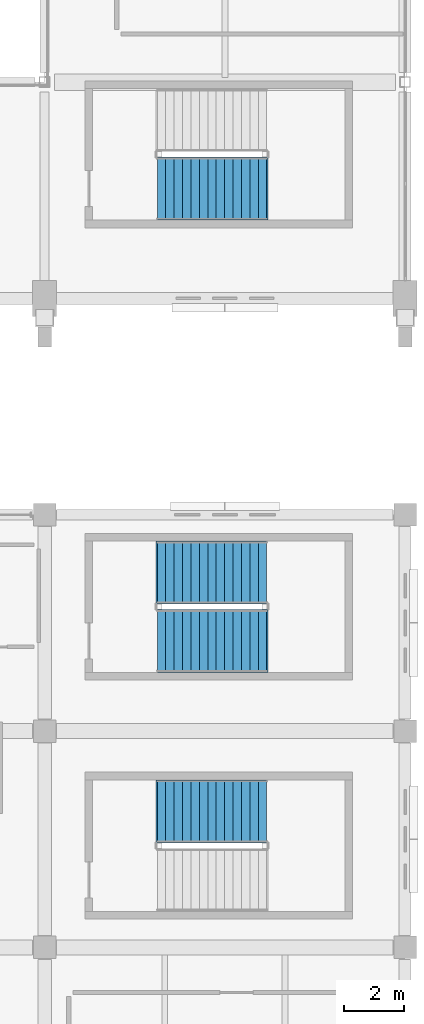
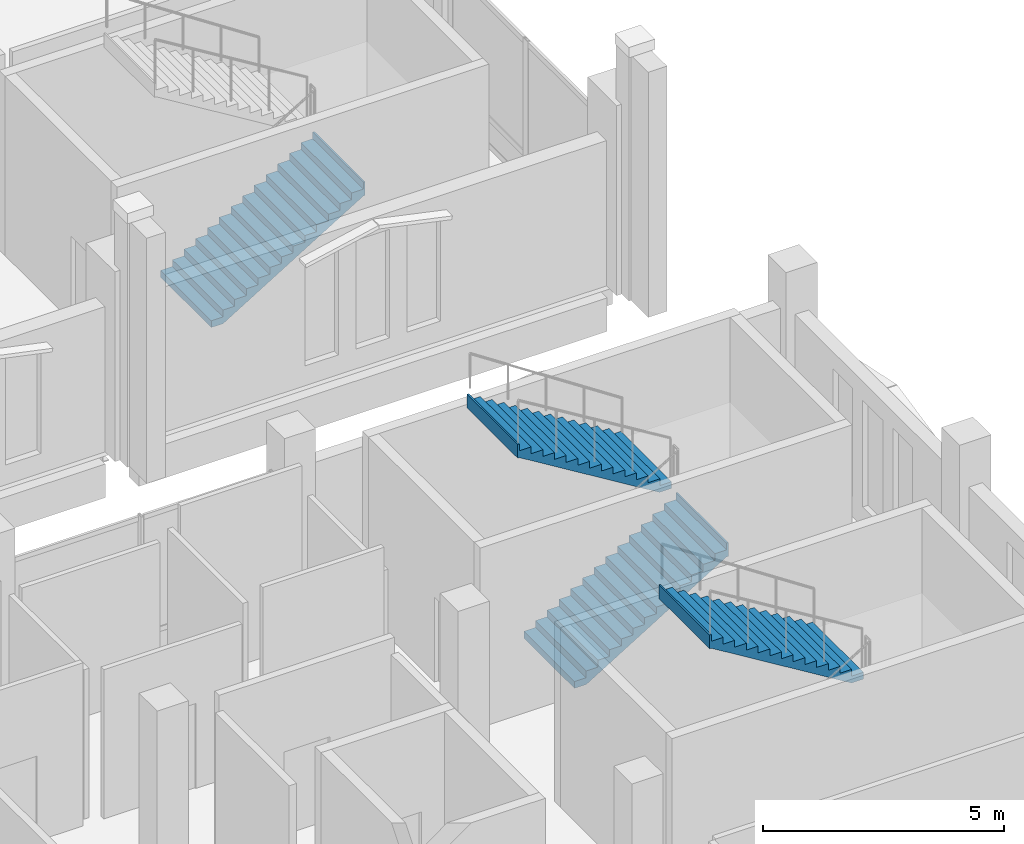
# One storey, part 168 of 193: 4 stair flights, 3 elements without a shape of their own.
"""IFC4 building model written with IfcOpenShell, lengths in metres."""

from ifc_helpers import new_model, si_unit, direction, frame, origin, place, context, subcontext, project, spatial, triangles, material, type_object, element, aggregate, save


model = new_model("IFC4")

# Units and contexts
model_context = context("Model", 3, precision=1e-05, world=origin(), true_north=direction((0.0, 1.0)))
body_context = subcontext(model_context, "Body", "Model", "MODEL_VIEW")
ifc_project = project(units=[si_unit("LENGTHUNIT", "METRE"), si_unit("AREAUNIT", "SQUARE_METRE"), si_unit("VOLUMEUNIT", "CUBIC_METRE"), si_unit("PLANEANGLEUNIT", "RADIAN"), si_unit("MASSUNIT", "GRAM", prefix="KILO")], contexts=[model_context])

# Site, building, storey
site_placement = place(None, origin())
site = spatial("IfcSite", under=ifc_project, at=site_placement, CompositionType="ELEMENT")
building_placement = place(site_placement, origin())
building = spatial("IfcBuilding", under=site, at=building_placement, Name="Cendralis Lancet Convention Centre", CompositionType="ELEMENT")
storey_placement = place(building_placement, frame((0.0, 0.0, 10.199951171875)))
storey = spatial("IfcBuildingStorey", under=building, at=storey_placement, Name="L02", CompositionType="ELEMENT", Elevation=10.199951171875)

# Stair, stair flight
ifc_material = material(Name="Concrete G35 (C35/45)", Category="concrete")
stair_type = type_object("IfcStairType", Name="ARC-ST-CORE", PredefinedType="HALF_TURN_STAIR", material=ifc_material)
stair_1_placement = place(storey_placement, origin())
stair_1 = element("IfcStair", 1, at=stair_1_placement, inside=storey, type_object=stair_type, Name="L02 Protected Exit Stair ST-09", PredefinedType="HALF_TURN_STAIR")
stair_flight_type = type_object("IfcStairFlightType", Name="ARC-SF-CORE", PredefinedType="STRAIGHT", material=ifc_material)
stair_flight_1_placement = place(storey_placement, frame((200.550048828125, 46.85009765625, 0.0), z_axis=(0.0, 0.0, 1.0), x_axis=(1.0, 0.0, 0.0)))
stair_flight_1 = element("IfcStairFlight", 2, at=stair_flight_1_placement, type_object=stair_flight_type, Name="ST-09 flight 1", NumberOfRisers=14, NumberOfTreads=13, PredefinedType="STRAIGHT", RiserHeight=0.171428571, TreadLength=0.28, context=body_context, shape_type="Tessellation", body=[
    triangles([(0.0, 0.0, 0.085714), (0.0, 1.050049, 0.0), (0.0, -1.050049, 0.0), (0.0, -1.050049, 0.171429), (0.0, 1.050049, 0.171429), (0.14, 0.0, 0.171429), (0.28, -1.050049, 0.171429), (0.28, 1.050049, 0.171429), (0.14, 0.0, 0.0), (0.28, -1.050049, 0.0), (0.28, 1.050049, 0.0), (0.28, 0.0, 0.257143), (0.28, -1.050049, 0.342857), (0.28, 1.050049, 0.342857), (0.283543, 0.0, 0.342857), (0.287085, -1.050049, 0.342857), (0.287085, 1.050049, 0.342857), (0.283543, 0.0, 0.0), (0.287085, -1.050049, 0.0), (0.287085, 1.050049, 0.0), (0.423543, 0.0, 0.342857), (0.56, -1.050049, 0.342857), (0.56, 1.050049, 0.342857), (0.423543, 0.0, 0.083545), (0.56, -1.050049, 0.167091), (0.56, 1.050049, 0.167091), (0.56, 0.0, 0.428572), (0.56, -1.050049, 0.514286), (0.56, 1.050049, 0.514286), (0.7, 0.0, 0.514286), (0.84, -1.050049, 0.514286), (0.84, 1.050049, 0.514286), (0.7, 0.0, 0.252806), (0.84, -1.050049, 0.33852), (0.84, 1.050049, 0.33852), (0.84, 0.0, 0.6), (0.84, -1.050049, 0.685714), (0.84, 1.050049, 0.685714), (0.98, 0.0, 0.685714), (1.12, -1.050049, 0.685714), (1.12, 1.050049, 0.685714), (0.98, 0.0, 0.424234), (1.12, -1.050049, 0.509948), (1.12, 1.050049, 0.509948), (1.12, 0.0, 0.771429), (1.12, -1.050049, 0.857143), (1.12, 1.050049, 0.857143), (1.26, 0.0, 0.857143), (1.4, -1.050049, 0.857143), (1.4, 1.050049, 0.857143), (1.26, 0.0, 0.595662), (1.4, -1.050049, 0.681377), (1.4, 1.050049, 0.681377), (1.4, 0.0, 0.942857), (1.4, -1.050049, 1.028571), (1.4, 1.050049, 1.028571), (1.54, 0.0, 1.028571), (1.68, -1.050049, 1.028571), (1.68, 1.050049, 1.028571), (1.54, 0.0, 0.767091), (1.68, -1.050049, 0.852805), (1.68, 1.050049, 0.852805), (1.68, 0.0, 1.114286), (1.68, -1.050049, 1.2), (1.68, 1.050049, 1.2), (1.82, 0.0, 1.2), (1.96, -1.050049, 1.2), (1.96, 1.050049, 1.2), (1.82, 0.0, 0.938519), (1.96, -1.050049, 1.024234), (1.96, 1.050049, 1.024234), (1.96, 0.0, 1.285715), (1.96, -1.050049, 1.371429), (1.96, 1.050049, 1.371429), (2.1, 0.0, 1.371429), (2.24, -1.050049, 1.371429), (2.24, 1.050049, 1.371429), (2.1, 0.0, 1.109948), (2.24, -1.050049, 1.195662), (2.24, 1.050049, 1.195662), (2.24, 0.0, 1.457143), (2.24, -1.050049, 1.542857), (2.24, 1.050049, 1.542857), (2.38, 0.0, 1.542857), (2.52, -1.050049, 1.542857), (2.52, 1.050049, 1.542857), (2.38, 0.0, 1.281376), (2.52, -1.050049, 1.367091), (2.52, 1.050049, 1.367091), (2.52, 0.0, 1.628572), (2.52, -1.050049, 1.714286), (2.52, 1.050049, 1.714286), (2.66, 0.0, 1.714286), (2.8, -1.050049, 1.714286), (2.8, 1.050049, 1.714286), (2.66, 0.0, 1.452806), (2.8, -1.050049, 1.53852), (2.8, 1.050049, 1.53852), (2.8, 0.0, 1.8), (2.8, -1.050049, 1.885714), (2.8, 1.050049, 1.885714), (2.94, 0.0, 1.885714), (3.08, -1.050049, 1.885714), (3.08, 1.050049, 1.885714), (2.94, 0.0, 1.624234), (3.08, -1.050049, 1.709948), (3.08, 1.050049, 1.709948), (3.08, 0.0, 1.971429), (3.08, -1.050049, 2.057143), (3.08, 1.050049, 2.057143), (3.22, 0.0, 2.057143), (3.36, -1.050049, 2.057143), (3.36, 1.050049, 2.057143), (3.22, 0.0, 1.795663), (3.36, -1.050049, 1.881377), (3.36, 1.050049, 1.881377), (3.36, 0.0, 2.142857), (3.36, -1.050049, 2.228571), (3.36, 1.050049, 2.228571), (3.5, 0.0, 2.228571), (3.64, -1.050049, 2.228571), (3.64, 1.050049, 2.228571), (3.5, 0.0, 1.967091), (3.64, -1.050049, 2.052805), (3.64, 1.050049, 2.052805), (3.64, 0.0, 2.314285), (3.64, -1.050049, 2.4), (3.64, 1.050049, 2.4), (3.66, 0.0, 2.4), (3.68, -1.050049, 2.4), (3.68, 1.050049, 2.4), (3.66, 0.0, 2.052805), (3.68, -1.050049, 2.052805), (3.68, 1.050049, 2.052805), (3.68, 0.0, 2.226403)], [[2, 3, 1], [3, 4, 1], [4, 5, 1], [5, 2, 1], [4, 7, 6], [7, 8, 6], [8, 5, 6], [5, 4, 6], [10, 3, 9], [3, 2, 9], [2, 11, 9], [11, 10, 9], [3, 10, 7], [3, 7, 4], [2, 8, 11], [2, 5, 8], [8, 7, 12], [7, 13, 12], [13, 14, 12], [14, 8, 12], [13, 16, 15], [16, 17, 15], [17, 14, 15], [14, 13, 15], [19, 10, 18], [10, 11, 18], [11, 20, 18], [20, 19, 18], [10, 19, 16], [10, 16, 7], [7, 16, 13], [11, 17, 20], [11, 8, 17], [8, 14, 17], [16, 22, 21], [22, 23, 21], [23, 17, 21], [17, 16, 21], [25, 19, 24], [19, 20, 24], [20, 26, 24], [26, 25, 24], [19, 25, 22], [19, 22, 16], [20, 23, 26], [20, 17, 23], [23, 22, 27], [22, 28, 27], [28, 29, 27], [29, 23, 27], [28, 31, 30], [31, 32, 30], [32, 29, 30], [29, 28, 30], [34, 25, 33], [25, 26, 33], [26, 35, 33], [35, 34, 33], [25, 34, 31], [25, 31, 22], [22, 31, 28], [26, 32, 35], [26, 23, 32], [23, 29, 32], [32, 31, 36], [31, 37, 36], [37, 38, 36], [38, 32, 36], [37, 40, 39], [40, 41, 39], [41, 38, 39], [38, 37, 39], [43, 34, 42], [34, 35, 42], [35, 44, 42], [44, 43, 42], [34, 43, 40], [34, 40, 31], [31, 40, 37], [35, 41, 44], [35, 32, 41], [32, 38, 41], [41, 40, 45], [40, 46, 45], [46, 47, 45], [47, 41, 45], [46, 49, 48], [49, 50, 48], [50, 47, 48], [47, 46, 48], [52, 43, 51], [43, 44, 51], [44, 53, 51], [53, 52, 51], [43, 52, 49], [43, 49, 40], [40, 49, 46], [44, 50, 53], [44, 41, 50], [41, 47, 50], [50, 49, 54], [49, 55, 54], [55, 56, 54], [56, 50, 54], [55, 58, 57], [58, 59, 57], [59, 56, 57], [56, 55, 57], [61, 52, 60], [52, 53, 60], [53, 62, 60], [62, 61, 60], [52, 61, 58], [52, 58, 49], [49, 58, 55], [53, 59, 62], [53, 50, 59], [50, 56, 59], [59, 58, 63], [58, 64, 63], [64, 65, 63], [65, 59, 63], [64, 67, 66], [67, 68, 66], [68, 65, 66], [65, 64, 66], [70, 61, 69], [61, 62, 69], [62, 71, 69], [71, 70, 69], [61, 70, 67], [61, 67, 58], [58, 67, 64], [62, 68, 71], [62, 59, 68], [59, 65, 68], [68, 67, 72], [67, 73, 72], [73, 74, 72], [74, 68, 72], [73, 76, 75], [76, 77, 75], [77, 74, 75], [74, 73, 75], [79, 70, 78], [70, 71, 78], [71, 80, 78], [80, 79, 78], [70, 79, 76], [70, 76, 67], [67, 76, 73], [71, 77, 80], [71, 68, 77], [68, 74, 77], [77, 76, 81], [76, 82, 81], [82, 83, 81], [83, 77, 81], [82, 85, 84], [85, 86, 84], [86, 83, 84], [83, 82, 84], [88, 79, 87], [79, 80, 87], [80, 89, 87], [89, 88, 87], [79, 88, 85], [79, 85, 76], [76, 85, 82], [80, 86, 89], [80, 77, 86], [77, 83, 86], [86, 85, 90], [85, 91, 90], [91, 92, 90], [92, 86, 90], [91, 94, 93], [94, 95, 93], [95, 92, 93], [92, 91, 93], [97, 88, 96], [88, 89, 96], [89, 98, 96], [98, 97, 96], [88, 97, 94], [88, 94, 85], [85, 94, 91], [89, 95, 98], [89, 86, 95], [86, 92, 95], [95, 94, 99], [94, 100, 99], [100, 101, 99], [101, 95, 99], [100, 103, 102], [103, 104, 102], [104, 101, 102], [101, 100, 102], [106, 97, 105], [97, 98, 105], [98, 107, 105], [107, 106, 105], [97, 106, 103], [97, 103, 94], [94, 103, 100], [98, 104, 107], [98, 95, 104], [95, 101, 104], [104, 103, 108], [103, 109, 108], [109, 110, 108], [110, 104, 108], [109, 112, 111], [112, 113, 111], [113, 110, 111], [110, 109, 111], [115, 106, 114], [106, 107, 114], [107, 116, 114], [116, 115, 114], [106, 115, 112], [106, 112, 103], [103, 112, 109], [107, 113, 116], [107, 104, 113], [104, 110, 113], [113, 112, 117], [112, 118, 117], [118, 119, 117], [119, 113, 117], [118, 121, 120], [121, 122, 120], [122, 119, 120], [119, 118, 120], [124, 115, 123], [115, 116, 123], [116, 125, 123], [125, 124, 123], [115, 124, 121], [115, 121, 112], [112, 121, 118], [116, 122, 125], [116, 113, 122], [113, 119, 122], [122, 121, 126], [121, 127, 126], [127, 128, 126], [128, 122, 126], [127, 130, 129], [130, 131, 129], [131, 128, 129], [128, 127, 129], [133, 124, 132], [124, 125, 132], [125, 134, 132], [134, 133, 132], [124, 133, 130], [124, 130, 121], [121, 130, 127], [125, 131, 134], [125, 122, 131], [122, 128, 131], [133, 134, 135], [134, 131, 135], [131, 130, 135], [130, 133, 135]], closed=True),
])
aggregate(stair_1, [stair_flight_1])

stair_2_placement = place(storey_placement, origin())
stair_2 = element("IfcStair", 3, at=stair_2_placement, inside=storey, type_object=stair_type, Name="L02 Protected Exit Stair ST-15", PredefinedType="HALF_TURN_STAIR")
stair_flight_2_placement = place(storey_placement, frame((204.18994140625, 26.1298828125, 2.400146484375), z_axis=(0.0, 0.0, 1.0), x_axis=(-1.0, 0.0, 0.0)))
stair_flight_2 = element("IfcStairFlight", 4, at=stair_flight_2_placement, type_object=stair_flight_type, Name="ST-15 flight 2", NumberOfRisers=14, NumberOfTreads=13, PredefinedType="STRAIGHT", RiserHeight=0.171428571, TreadLength=0.28, context=body_context, shape_type="Tessellation", body=[
    triangles([(0.0, 0.0, 0.085714), (0.0, 1.050049, 0.0), (0.0, -1.050049, 0.0), (0.0, -1.050049, 0.171429), (0.0, 1.050049, 0.171429), (0.14, 0.0, 0.171429), (0.28, -1.050049, 0.171429), (0.28, 1.050049, 0.171429), (0.14, 0.0, 0.0), (0.28, -1.050049, 0.0), (0.28, 1.050049, 0.0), (0.28, 0.0, 0.257143), (0.28, -1.050049, 0.342857), (0.28, 1.050049, 0.342857), (0.283543, 0.0, 0.342857), (0.287085, -1.050049, 0.342857), (0.287085, 1.050049, 0.342857), (0.283543, 0.0, 0.0), (0.287085, -1.050049, 0.0), (0.287085, 1.050049, 0.0), (0.423543, 0.0, 0.342857), (0.56, -1.050049, 0.342857), (0.56, 1.050049, 0.342857), (0.423543, 0.0, 0.083545), (0.56, -1.050049, 0.167091), (0.56, 1.050049, 0.167091), (0.56, 0.0, 0.428572), (0.56, -1.050049, 0.514286), (0.56, 1.050049, 0.514286), (0.7, 0.0, 0.514286), (0.84, -1.050049, 0.514286), (0.84, 1.050049, 0.514286), (0.7, 0.0, 0.252806), (0.84, -1.050049, 0.33852), (0.84, 1.050049, 0.33852), (0.84, 0.0, 0.6), (0.84, -1.050049, 0.685714), (0.84, 1.050049, 0.685714), (0.98, 0.0, 0.685714), (1.12, -1.050049, 0.685714), (1.12, 1.050049, 0.685714), (0.98, 0.0, 0.424234), (1.12, -1.050049, 0.509948), (1.12, 1.050049, 0.509948), (1.12, 0.0, 0.771429), (1.12, -1.050049, 0.857143), (1.12, 1.050049, 0.857143), (1.26, 0.0, 0.857143), (1.4, -1.050049, 0.857143), (1.4, 1.050049, 0.857143), (1.26, 0.0, 0.595662), (1.4, -1.050049, 0.681377), (1.4, 1.050049, 0.681377), (1.4, 0.0, 0.942857), (1.4, -1.050049, 1.028571), (1.4, 1.050049, 1.028571), (1.54, 0.0, 1.028571), (1.68, -1.050049, 1.028571), (1.68, 1.050049, 1.028571), (1.54, 0.0, 0.767091), (1.68, -1.050049, 0.852805), (1.68, 1.050049, 0.852805), (1.68, 0.0, 1.114286), (1.68, -1.050049, 1.2), (1.68, 1.050049, 1.2), (1.82, 0.0, 1.2), (1.96, -1.050049, 1.2), (1.96, 1.050049, 1.2), (1.82, 0.0, 0.938519), (1.96, -1.050049, 1.024234), (1.96, 1.050049, 1.024234), (1.96, 0.0, 1.285715), (1.96, -1.050049, 1.371429), (1.96, 1.050049, 1.371429), (2.1, 0.0, 1.371429), (2.24, -1.050049, 1.371429), (2.24, 1.050049, 1.371429), (2.1, 0.0, 1.109948), (2.24, -1.050049, 1.195662), (2.24, 1.050049, 1.195662), (2.24, 0.0, 1.457143), (2.24, -1.050049, 1.542857), (2.24, 1.050049, 1.542857), (2.38, 0.0, 1.542857), (2.52, -1.050049, 1.542857), (2.52, 1.050049, 1.542857), (2.38, 0.0, 1.281376), (2.52, -1.050049, 1.367091), (2.52, 1.050049, 1.367091), (2.52, 0.0, 1.628572), (2.52, -1.050049, 1.714286), (2.52, 1.050049, 1.714286), (2.66, 0.0, 1.714286), (2.8, -1.050049, 1.714286), (2.8, 1.050049, 1.714286), (2.66, 0.0, 1.452806), (2.8, -1.050049, 1.53852), (2.8, 1.050049, 1.53852), (2.8, 0.0, 1.8), (2.8, -1.050049, 1.885714), (2.8, 1.050049, 1.885714), (2.94, 0.0, 1.885714), (3.08, -1.050049, 1.885714), (3.08, 1.050049, 1.885714), (2.94, 0.0, 1.624234), (3.08, -1.050049, 1.709948), (3.08, 1.050049, 1.709948), (3.08, 0.0, 1.971429), (3.08, -1.050049, 2.057143), (3.08, 1.050049, 2.057143), (3.22, 0.0, 2.057143), (3.36, -1.050049, 2.057143), (3.36, 1.050049, 2.057143), (3.22, 0.0, 1.795663), (3.36, -1.050049, 1.881377), (3.36, 1.050049, 1.881377), (3.36, 0.0, 2.142857), (3.36, -1.050049, 2.228571), (3.36, 1.050049, 2.228571), (3.5, 0.0, 2.228571), (3.64, -1.050049, 2.228571), (3.64, 1.050049, 2.228571), (3.5, 0.0, 1.967091), (3.64, -1.050049, 2.052805), (3.64, 1.050049, 2.052805), (3.64, 0.0, 2.314285), (3.64, -1.050049, 2.4), (3.64, 1.050049, 2.4), (3.66, 0.0, 2.4), (3.68, -1.050049, 2.4), (3.68, 1.050049, 2.4), (3.66, 0.0, 2.052805), (3.68, -1.050049, 2.052805), (3.68, 1.050049, 2.052805), (3.68, 0.0, 2.226403)], [[2, 3, 1], [3, 4, 1], [4, 5, 1], [5, 2, 1], [4, 7, 6], [7, 8, 6], [8, 5, 6], [5, 4, 6], [10, 3, 9], [3, 2, 9], [2, 11, 9], [11, 10, 9], [3, 10, 7], [3, 7, 4], [2, 8, 11], [2, 5, 8], [8, 7, 12], [7, 13, 12], [13, 14, 12], [14, 8, 12], [13, 16, 15], [16, 17, 15], [17, 14, 15], [14, 13, 15], [19, 10, 18], [10, 11, 18], [11, 20, 18], [20, 19, 18], [10, 19, 16], [10, 16, 7], [7, 16, 13], [11, 17, 20], [11, 8, 17], [8, 14, 17], [16, 22, 21], [22, 23, 21], [23, 17, 21], [17, 16, 21], [25, 19, 24], [19, 20, 24], [20, 26, 24], [26, 25, 24], [19, 25, 22], [19, 22, 16], [20, 23, 26], [20, 17, 23], [23, 22, 27], [22, 28, 27], [28, 29, 27], [29, 23, 27], [28, 31, 30], [31, 32, 30], [32, 29, 30], [29, 28, 30], [34, 25, 33], [25, 26, 33], [26, 35, 33], [35, 34, 33], [25, 34, 31], [25, 31, 22], [22, 31, 28], [26, 32, 35], [26, 23, 32], [23, 29, 32], [32, 31, 36], [31, 37, 36], [37, 38, 36], [38, 32, 36], [37, 40, 39], [40, 41, 39], [41, 38, 39], [38, 37, 39], [43, 34, 42], [34, 35, 42], [35, 44, 42], [44, 43, 42], [34, 43, 40], [34, 40, 31], [31, 40, 37], [35, 41, 44], [35, 32, 41], [32, 38, 41], [41, 40, 45], [40, 46, 45], [46, 47, 45], [47, 41, 45], [46, 49, 48], [49, 50, 48], [50, 47, 48], [47, 46, 48], [52, 43, 51], [43, 44, 51], [44, 53, 51], [53, 52, 51], [43, 52, 49], [43, 49, 40], [40, 49, 46], [44, 50, 53], [44, 41, 50], [41, 47, 50], [50, 49, 54], [49, 55, 54], [55, 56, 54], [56, 50, 54], [55, 58, 57], [58, 59, 57], [59, 56, 57], [56, 55, 57], [61, 52, 60], [52, 53, 60], [53, 62, 60], [62, 61, 60], [52, 61, 58], [52, 58, 49], [49, 58, 55], [53, 59, 62], [53, 50, 59], [50, 56, 59], [59, 58, 63], [58, 64, 63], [64, 65, 63], [65, 59, 63], [64, 67, 66], [67, 68, 66], [68, 65, 66], [65, 64, 66], [70, 61, 69], [61, 62, 69], [62, 71, 69], [71, 70, 69], [61, 70, 67], [61, 67, 58], [58, 67, 64], [62, 68, 71], [62, 59, 68], [59, 65, 68], [68, 67, 72], [67, 73, 72], [73, 74, 72], [74, 68, 72], [73, 76, 75], [76, 77, 75], [77, 74, 75], [74, 73, 75], [79, 70, 78], [70, 71, 78], [71, 80, 78], [80, 79, 78], [70, 79, 76], [70, 76, 67], [67, 76, 73], [71, 77, 80], [71, 68, 77], [68, 74, 77], [77, 76, 81], [76, 82, 81], [82, 83, 81], [83, 77, 81], [82, 85, 84], [85, 86, 84], [86, 83, 84], [83, 82, 84], [88, 79, 87], [79, 80, 87], [80, 89, 87], [89, 88, 87], [79, 88, 85], [79, 85, 76], [76, 85, 82], [80, 86, 89], [80, 77, 86], [77, 83, 86], [86, 85, 90], [85, 91, 90], [91, 92, 90], [92, 86, 90], [91, 94, 93], [94, 95, 93], [95, 92, 93], [92, 91, 93], [97, 88, 96], [88, 89, 96], [89, 98, 96], [98, 97, 96], [88, 97, 94], [88, 94, 85], [85, 94, 91], [89, 95, 98], [89, 86, 95], [86, 92, 95], [95, 94, 99], [94, 100, 99], [100, 101, 99], [101, 95, 99], [100, 103, 102], [103, 104, 102], [104, 101, 102], [101, 100, 102], [106, 97, 105], [97, 98, 105], [98, 107, 105], [107, 106, 105], [97, 106, 103], [97, 103, 94], [94, 103, 100], [98, 104, 107], [98, 95, 104], [95, 101, 104], [104, 103, 108], [103, 109, 108], [109, 110, 108], [110, 104, 108], [109, 112, 111], [112, 113, 111], [113, 110, 111], [110, 109, 111], [115, 106, 114], [106, 107, 114], [107, 116, 114], [116, 115, 114], [106, 115, 112], [106, 112, 103], [103, 112, 109], [107, 113, 116], [107, 104, 113], [104, 110, 113], [113, 112, 117], [112, 118, 117], [118, 119, 117], [119, 113, 117], [118, 121, 120], [121, 122, 120], [122, 119, 120], [119, 118, 120], [124, 115, 123], [115, 116, 123], [116, 125, 123], [125, 124, 123], [115, 124, 121], [115, 121, 112], [112, 121, 118], [116, 122, 125], [116, 113, 122], [113, 119, 122], [122, 121, 126], [121, 127, 126], [127, 128, 126], [128, 122, 126], [127, 130, 129], [130, 131, 129], [131, 128, 129], [128, 127, 129], [133, 124, 132], [124, 125, 132], [125, 134, 132], [134, 133, 132], [124, 133, 130], [124, 130, 121], [121, 130, 127], [125, 131, 134], [125, 122, 131], [122, 128, 131], [133, 134, 135], [134, 131, 135], [131, 130, 135], [130, 133, 135]], closed=True),
])
aggregate(stair_2, [stair_flight_2])

# Stair, stair flights
stair_3_placement = place(storey_placement, origin())
stair_3 = element("IfcStair", 5, at=stair_3_placement, inside=storey, type_object=stair_type, Name="L02 Protected Exit Stair ST-16", PredefinedType="HALF_TURN_STAIR")
stair_flight_3_placement = place(storey_placement, frame((200.550048828125, 31.800048828125, 0.0), z_axis=(0.0, 0.0, 1.0), x_axis=(1.0, 0.0, 0.0)))
stair_flight_3 = element("IfcStairFlight", 6, at=stair_flight_3_placement, type_object=stair_flight_type, Name="ST-16 flight 1", NumberOfRisers=14, NumberOfTreads=13, PredefinedType="STRAIGHT", RiserHeight=0.171428571, TreadLength=0.28, context=body_context, shape_type="Tessellation", body=[
    triangles([(0.0, 0.0, 0.085714), (0.0, 1.050049, 0.0), (0.0, -1.050049, 0.0), (0.0, -1.050049, 0.171429), (0.0, 1.050049, 0.171429), (0.14, 0.0, 0.171429), (0.28, -1.050049, 0.171429), (0.28, 1.050049, 0.171429), (0.14, 0.0, 0.0), (0.28, -1.050049, 0.0), (0.28, 1.050049, 0.0), (0.28, 0.0, 0.257143), (0.28, -1.050049, 0.342857), (0.28, 1.050049, 0.342857), (0.283543, 0.0, 0.342857), (0.287085, -1.050049, 0.342857), (0.287085, 1.050049, 0.342857), (0.283543, 0.0, 0.0), (0.287085, -1.050049, 0.0), (0.287085, 1.050049, 0.0), (0.423543, 0.0, 0.342857), (0.56, -1.050049, 0.342857), (0.56, 1.050049, 0.342857), (0.423543, 0.0, 0.083545), (0.56, -1.050049, 0.167091), (0.56, 1.050049, 0.167091), (0.56, 0.0, 0.428572), (0.56, -1.050049, 0.514286), (0.56, 1.050049, 0.514286), (0.7, 0.0, 0.514286), (0.84, -1.050049, 0.514286), (0.84, 1.050049, 0.514286), (0.7, 0.0, 0.252806), (0.84, -1.050049, 0.33852), (0.84, 1.050049, 0.33852), (0.84, 0.0, 0.6), (0.84, -1.050049, 0.685714), (0.84, 1.050049, 0.685714), (0.98, 0.0, 0.685714), (1.12, -1.050049, 0.685714), (1.12, 1.050049, 0.685714), (0.98, 0.0, 0.424234), (1.12, -1.050049, 0.509948), (1.12, 1.050049, 0.509948), (1.12, 0.0, 0.771429), (1.12, -1.050049, 0.857143), (1.12, 1.050049, 0.857143), (1.26, 0.0, 0.857143), (1.4, -1.050049, 0.857143), (1.4, 1.050049, 0.857143), (1.26, 0.0, 0.595662), (1.4, -1.050049, 0.681377), (1.4, 1.050049, 0.681377), (1.4, 0.0, 0.942857), (1.4, -1.050049, 1.028571), (1.4, 1.050049, 1.028571), (1.54, 0.0, 1.028571), (1.68, -1.050049, 1.028571), (1.68, 1.050049, 1.028571), (1.54, 0.0, 0.767091), (1.68, -1.050049, 0.852805), (1.68, 1.050049, 0.852805), (1.68, 0.0, 1.114286), (1.68, -1.050049, 1.2), (1.68, 1.050049, 1.2), (1.82, 0.0, 1.2), (1.96, -1.050049, 1.2), (1.96, 1.050049, 1.2), (1.82, 0.0, 0.938519), (1.96, -1.050049, 1.024234), (1.96, 1.050049, 1.024234), (1.96, 0.0, 1.285715), (1.96, -1.050049, 1.371429), (1.96, 1.050049, 1.371429), (2.1, 0.0, 1.371429), (2.24, -1.050049, 1.371429), (2.24, 1.050049, 1.371429), (2.1, 0.0, 1.109948), (2.24, -1.050049, 1.195662), (2.24, 1.050049, 1.195662), (2.24, 0.0, 1.457143), (2.24, -1.050049, 1.542857), (2.24, 1.050049, 1.542857), (2.38, 0.0, 1.542857), (2.52, -1.050049, 1.542857), (2.52, 1.050049, 1.542857), (2.38, 0.0, 1.281376), (2.52, -1.050049, 1.367091), (2.52, 1.050049, 1.367091), (2.52, 0.0, 1.628572), (2.52, -1.050049, 1.714286), (2.52, 1.050049, 1.714286), (2.66, 0.0, 1.714286), (2.8, -1.050049, 1.714286), (2.8, 1.050049, 1.714286), (2.66, 0.0, 1.452806), (2.8, -1.050049, 1.53852), (2.8, 1.050049, 1.53852), (2.8, 0.0, 1.8), (2.8, -1.050049, 1.885714), (2.8, 1.050049, 1.885714), (2.94, 0.0, 1.885714), (3.08, -1.050049, 1.885714), (3.08, 1.050049, 1.885714), (2.94, 0.0, 1.624234), (3.08, -1.050049, 1.709948), (3.08, 1.050049, 1.709948), (3.08, 0.0, 1.971429), (3.08, -1.050049, 2.057143), (3.08, 1.050049, 2.057143), (3.22, 0.0, 2.057143), (3.36, -1.050049, 2.057143), (3.36, 1.050049, 2.057143), (3.22, 0.0, 1.795663), (3.36, -1.050049, 1.881377), (3.36, 1.050049, 1.881377), (3.36, 0.0, 2.142857), (3.36, -1.050049, 2.228571), (3.36, 1.050049, 2.228571), (3.5, 0.0, 2.228571), (3.64, -1.050049, 2.228571), (3.64, 1.050049, 2.228571), (3.5, 0.0, 1.967091), (3.64, -1.050049, 2.052805), (3.64, 1.050049, 2.052805), (3.64, 0.0, 2.314285), (3.64, -1.050049, 2.4), (3.64, 1.050049, 2.4), (3.66, 0.0, 2.4), (3.68, -1.050049, 2.4), (3.68, 1.050049, 2.4), (3.66, 0.0, 2.052805), (3.68, -1.050049, 2.052805), (3.68, 1.050049, 2.052805), (3.68, 0.0, 2.226403)], [[2, 3, 1], [3, 4, 1], [4, 5, 1], [5, 2, 1], [4, 7, 6], [7, 8, 6], [8, 5, 6], [5, 4, 6], [10, 3, 9], [3, 2, 9], [2, 11, 9], [11, 10, 9], [3, 10, 7], [3, 7, 4], [2, 8, 11], [2, 5, 8], [8, 7, 12], [7, 13, 12], [13, 14, 12], [14, 8, 12], [13, 16, 15], [16, 17, 15], [17, 14, 15], [14, 13, 15], [19, 10, 18], [10, 11, 18], [11, 20, 18], [20, 19, 18], [10, 19, 16], [10, 16, 7], [7, 16, 13], [11, 17, 20], [11, 8, 17], [8, 14, 17], [16, 22, 21], [22, 23, 21], [23, 17, 21], [17, 16, 21], [25, 19, 24], [19, 20, 24], [20, 26, 24], [26, 25, 24], [19, 25, 22], [19, 22, 16], [20, 23, 26], [20, 17, 23], [23, 22, 27], [22, 28, 27], [28, 29, 27], [29, 23, 27], [28, 31, 30], [31, 32, 30], [32, 29, 30], [29, 28, 30], [34, 25, 33], [25, 26, 33], [26, 35, 33], [35, 34, 33], [25, 34, 31], [25, 31, 22], [22, 31, 28], [26, 32, 35], [26, 23, 32], [23, 29, 32], [32, 31, 36], [31, 37, 36], [37, 38, 36], [38, 32, 36], [37, 40, 39], [40, 41, 39], [41, 38, 39], [38, 37, 39], [43, 34, 42], [34, 35, 42], [35, 44, 42], [44, 43, 42], [34, 43, 40], [34, 40, 31], [31, 40, 37], [35, 41, 44], [35, 32, 41], [32, 38, 41], [41, 40, 45], [40, 46, 45], [46, 47, 45], [47, 41, 45], [46, 49, 48], [49, 50, 48], [50, 47, 48], [47, 46, 48], [52, 43, 51], [43, 44, 51], [44, 53, 51], [53, 52, 51], [43, 52, 49], [43, 49, 40], [40, 49, 46], [44, 50, 53], [44, 41, 50], [41, 47, 50], [50, 49, 54], [49, 55, 54], [55, 56, 54], [56, 50, 54], [55, 58, 57], [58, 59, 57], [59, 56, 57], [56, 55, 57], [61, 52, 60], [52, 53, 60], [53, 62, 60], [62, 61, 60], [52, 61, 58], [52, 58, 49], [49, 58, 55], [53, 59, 62], [53, 50, 59], [50, 56, 59], [59, 58, 63], [58, 64, 63], [64, 65, 63], [65, 59, 63], [64, 67, 66], [67, 68, 66], [68, 65, 66], [65, 64, 66], [70, 61, 69], [61, 62, 69], [62, 71, 69], [71, 70, 69], [61, 70, 67], [61, 67, 58], [58, 67, 64], [62, 68, 71], [62, 59, 68], [59, 65, 68], [68, 67, 72], [67, 73, 72], [73, 74, 72], [74, 68, 72], [73, 76, 75], [76, 77, 75], [77, 74, 75], [74, 73, 75], [79, 70, 78], [70, 71, 78], [71, 80, 78], [80, 79, 78], [70, 79, 76], [70, 76, 67], [67, 76, 73], [71, 77, 80], [71, 68, 77], [68, 74, 77], [77, 76, 81], [76, 82, 81], [82, 83, 81], [83, 77, 81], [82, 85, 84], [85, 86, 84], [86, 83, 84], [83, 82, 84], [88, 79, 87], [79, 80, 87], [80, 89, 87], [89, 88, 87], [79, 88, 85], [79, 85, 76], [76, 85, 82], [80, 86, 89], [80, 77, 86], [77, 83, 86], [86, 85, 90], [85, 91, 90], [91, 92, 90], [92, 86, 90], [91, 94, 93], [94, 95, 93], [95, 92, 93], [92, 91, 93], [97, 88, 96], [88, 89, 96], [89, 98, 96], [98, 97, 96], [88, 97, 94], [88, 94, 85], [85, 94, 91], [89, 95, 98], [89, 86, 95], [86, 92, 95], [95, 94, 99], [94, 100, 99], [100, 101, 99], [101, 95, 99], [100, 103, 102], [103, 104, 102], [104, 101, 102], [101, 100, 102], [106, 97, 105], [97, 98, 105], [98, 107, 105], [107, 106, 105], [97, 106, 103], [97, 103, 94], [94, 103, 100], [98, 104, 107], [98, 95, 104], [95, 101, 104], [104, 103, 108], [103, 109, 108], [109, 110, 108], [110, 104, 108], [109, 112, 111], [112, 113, 111], [113, 110, 111], [110, 109, 111], [115, 106, 114], [106, 107, 114], [107, 116, 114], [116, 115, 114], [106, 115, 112], [106, 112, 103], [103, 112, 109], [107, 113, 116], [107, 104, 113], [104, 110, 113], [113, 112, 117], [112, 118, 117], [118, 119, 117], [119, 113, 117], [118, 121, 120], [121, 122, 120], [122, 119, 120], [119, 118, 120], [124, 115, 123], [115, 116, 123], [116, 125, 123], [125, 124, 123], [115, 124, 121], [115, 121, 112], [112, 121, 118], [116, 122, 125], [116, 113, 122], [113, 119, 122], [122, 121, 126], [121, 127, 126], [127, 128, 126], [128, 122, 126], [127, 130, 129], [130, 131, 129], [131, 128, 129], [128, 127, 129], [133, 124, 132], [124, 125, 132], [125, 134, 132], [134, 133, 132], [124, 133, 130], [124, 130, 121], [121, 130, 127], [125, 131, 134], [125, 122, 131], [122, 128, 131], [133, 134, 135], [134, 131, 135], [131, 130, 135], [130, 133, 135]], closed=True),
])
stair_flight_4_placement = place(storey_placement, frame((204.18994140625, 34.080078125, 2.400146484375), z_axis=(0.0, 0.0, 1.0), x_axis=(-1.0, 0.0, 0.0)))
stair_flight_4 = element("IfcStairFlight", 7, at=stair_flight_4_placement, type_object=stair_flight_type, Name="ST-16 flight 2", NumberOfRisers=14, NumberOfTreads=13, PredefinedType="STRAIGHT", RiserHeight=0.171428571, TreadLength=0.28, context=body_context, shape_type="Tessellation", body=[
    triangles([(0.0, 0.0, 0.085714), (0.0, 1.050049, 0.0), (0.0, -1.050049, 0.0), (0.0, -1.050049, 0.171429), (0.0, 1.050049, 0.171429), (0.14, 0.0, 0.171429), (0.28, -1.050049, 0.171429), (0.28, 1.050049, 0.171429), (0.14, 0.0, 0.0), (0.28, -1.050049, 0.0), (0.28, 1.050049, 0.0), (0.28, 0.0, 0.257143), (0.28, -1.050049, 0.342857), (0.28, 1.050049, 0.342857), (0.283543, 0.0, 0.342857), (0.287085, -1.050049, 0.342857), (0.287085, 1.050049, 0.342857), (0.283543, 0.0, 0.0), (0.287085, -1.050049, 0.0), (0.287085, 1.050049, 0.0), (0.423543, 0.0, 0.342857), (0.56, -1.050049, 0.342857), (0.56, 1.050049, 0.342857), (0.423543, 0.0, 0.083545), (0.56, -1.050049, 0.167091), (0.56, 1.050049, 0.167091), (0.56, 0.0, 0.428572), (0.56, -1.050049, 0.514286), (0.56, 1.050049, 0.514286), (0.7, 0.0, 0.514286), (0.84, -1.050049, 0.514286), (0.84, 1.050049, 0.514286), (0.7, 0.0, 0.252806), (0.84, -1.050049, 0.33852), (0.84, 1.050049, 0.33852), (0.84, 0.0, 0.6), (0.84, -1.050049, 0.685714), (0.84, 1.050049, 0.685714), (0.98, 0.0, 0.685714), (1.12, -1.050049, 0.685714), (1.12, 1.050049, 0.685714), (0.98, 0.0, 0.424234), (1.12, -1.050049, 0.509948), (1.12, 1.050049, 0.509948), (1.12, 0.0, 0.771429), (1.12, -1.050049, 0.857143), (1.12, 1.050049, 0.857143), (1.26, 0.0, 0.857143), (1.4, -1.050049, 0.857143), (1.4, 1.050049, 0.857143), (1.26, 0.0, 0.595662), (1.4, -1.050049, 0.681377), (1.4, 1.050049, 0.681377), (1.4, 0.0, 0.942857), (1.4, -1.050049, 1.028571), (1.4, 1.050049, 1.028571), (1.54, 0.0, 1.028571), (1.68, -1.050049, 1.028571), (1.68, 1.050049, 1.028571), (1.54, 0.0, 0.767091), (1.68, -1.050049, 0.852805), (1.68, 1.050049, 0.852805), (1.68, 0.0, 1.114286), (1.68, -1.050049, 1.2), (1.68, 1.050049, 1.2), (1.82, 0.0, 1.2), (1.96, -1.050049, 1.2), (1.96, 1.050049, 1.2), (1.82, 0.0, 0.938519), (1.96, -1.050049, 1.024234), (1.96, 1.050049, 1.024234), (1.96, 0.0, 1.285715), (1.96, -1.050049, 1.371429), (1.96, 1.050049, 1.371429), (2.1, 0.0, 1.371429), (2.24, -1.050049, 1.371429), (2.24, 1.050049, 1.371429), (2.1, 0.0, 1.109948), (2.24, -1.050049, 1.195662), (2.24, 1.050049, 1.195662), (2.24, 0.0, 1.457143), (2.24, -1.050049, 1.542857), (2.24, 1.050049, 1.542857), (2.38, 0.0, 1.542857), (2.52, -1.050049, 1.542857), (2.52, 1.050049, 1.542857), (2.38, 0.0, 1.281376), (2.52, -1.050049, 1.367091), (2.52, 1.050049, 1.367091), (2.52, 0.0, 1.628572), (2.52, -1.050049, 1.714286), (2.52, 1.050049, 1.714286), (2.66, 0.0, 1.714286), (2.8, -1.050049, 1.714286), (2.8, 1.050049, 1.714286), (2.66, 0.0, 1.452806), (2.8, -1.050049, 1.53852), (2.8, 1.050049, 1.53852), (2.8, 0.0, 1.8), (2.8, -1.050049, 1.885714), (2.8, 1.050049, 1.885714), (2.94, 0.0, 1.885714), (3.08, -1.050049, 1.885714), (3.08, 1.050049, 1.885714), (2.94, 0.0, 1.624234), (3.08, -1.050049, 1.709948), (3.08, 1.050049, 1.709948), (3.08, 0.0, 1.971429), (3.08, -1.050049, 2.057143), (3.08, 1.050049, 2.057143), (3.22, 0.0, 2.057143), (3.36, -1.050049, 2.057143), (3.36, 1.050049, 2.057143), (3.22, 0.0, 1.795663), (3.36, -1.050049, 1.881377), (3.36, 1.050049, 1.881377), (3.36, 0.0, 2.142857), (3.36, -1.050049, 2.228571), (3.36, 1.050049, 2.228571), (3.5, 0.0, 2.228571), (3.64, -1.050049, 2.228571), (3.64, 1.050049, 2.228571), (3.5, 0.0, 1.967091), (3.64, -1.050049, 2.052805), (3.64, 1.050049, 2.052805), (3.64, 0.0, 2.314285), (3.64, -1.050049, 2.4), (3.64, 1.050049, 2.4), (3.66, 0.0, 2.4), (3.68, -1.050049, 2.4), (3.68, 1.050049, 2.4), (3.66, 0.0, 2.052805), (3.68, -1.050049, 2.052805), (3.68, 1.050049, 2.052805), (3.68, 0.0, 2.226403)], [[2, 3, 1], [3, 4, 1], [4, 5, 1], [5, 2, 1], [4, 7, 6], [7, 8, 6], [8, 5, 6], [5, 4, 6], [10, 3, 9], [3, 2, 9], [2, 11, 9], [11, 10, 9], [3, 10, 7], [3, 7, 4], [2, 8, 11], [2, 5, 8], [8, 7, 12], [7, 13, 12], [13, 14, 12], [14, 8, 12], [13, 16, 15], [16, 17, 15], [17, 14, 15], [14, 13, 15], [19, 10, 18], [10, 11, 18], [11, 20, 18], [20, 19, 18], [10, 19, 16], [10, 16, 7], [7, 16, 13], [11, 17, 20], [11, 8, 17], [8, 14, 17], [16, 22, 21], [22, 23, 21], [23, 17, 21], [17, 16, 21], [25, 19, 24], [19, 20, 24], [20, 26, 24], [26, 25, 24], [19, 25, 22], [19, 22, 16], [20, 23, 26], [20, 17, 23], [23, 22, 27], [22, 28, 27], [28, 29, 27], [29, 23, 27], [28, 31, 30], [31, 32, 30], [32, 29, 30], [29, 28, 30], [34, 25, 33], [25, 26, 33], [26, 35, 33], [35, 34, 33], [25, 34, 31], [25, 31, 22], [22, 31, 28], [26, 32, 35], [26, 23, 32], [23, 29, 32], [32, 31, 36], [31, 37, 36], [37, 38, 36], [38, 32, 36], [37, 40, 39], [40, 41, 39], [41, 38, 39], [38, 37, 39], [43, 34, 42], [34, 35, 42], [35, 44, 42], [44, 43, 42], [34, 43, 40], [34, 40, 31], [31, 40, 37], [35, 41, 44], [35, 32, 41], [32, 38, 41], [41, 40, 45], [40, 46, 45], [46, 47, 45], [47, 41, 45], [46, 49, 48], [49, 50, 48], [50, 47, 48], [47, 46, 48], [52, 43, 51], [43, 44, 51], [44, 53, 51], [53, 52, 51], [43, 52, 49], [43, 49, 40], [40, 49, 46], [44, 50, 53], [44, 41, 50], [41, 47, 50], [50, 49, 54], [49, 55, 54], [55, 56, 54], [56, 50, 54], [55, 58, 57], [58, 59, 57], [59, 56, 57], [56, 55, 57], [61, 52, 60], [52, 53, 60], [53, 62, 60], [62, 61, 60], [52, 61, 58], [52, 58, 49], [49, 58, 55], [53, 59, 62], [53, 50, 59], [50, 56, 59], [59, 58, 63], [58, 64, 63], [64, 65, 63], [65, 59, 63], [64, 67, 66], [67, 68, 66], [68, 65, 66], [65, 64, 66], [70, 61, 69], [61, 62, 69], [62, 71, 69], [71, 70, 69], [61, 70, 67], [61, 67, 58], [58, 67, 64], [62, 68, 71], [62, 59, 68], [59, 65, 68], [68, 67, 72], [67, 73, 72], [73, 74, 72], [74, 68, 72], [73, 76, 75], [76, 77, 75], [77, 74, 75], [74, 73, 75], [79, 70, 78], [70, 71, 78], [71, 80, 78], [80, 79, 78], [70, 79, 76], [70, 76, 67], [67, 76, 73], [71, 77, 80], [71, 68, 77], [68, 74, 77], [77, 76, 81], [76, 82, 81], [82, 83, 81], [83, 77, 81], [82, 85, 84], [85, 86, 84], [86, 83, 84], [83, 82, 84], [88, 79, 87], [79, 80, 87], [80, 89, 87], [89, 88, 87], [79, 88, 85], [79, 85, 76], [76, 85, 82], [80, 86, 89], [80, 77, 86], [77, 83, 86], [86, 85, 90], [85, 91, 90], [91, 92, 90], [92, 86, 90], [91, 94, 93], [94, 95, 93], [95, 92, 93], [92, 91, 93], [97, 88, 96], [88, 89, 96], [89, 98, 96], [98, 97, 96], [88, 97, 94], [88, 94, 85], [85, 94, 91], [89, 95, 98], [89, 86, 95], [86, 92, 95], [95, 94, 99], [94, 100, 99], [100, 101, 99], [101, 95, 99], [100, 103, 102], [103, 104, 102], [104, 101, 102], [101, 100, 102], [106, 97, 105], [97, 98, 105], [98, 107, 105], [107, 106, 105], [97, 106, 103], [97, 103, 94], [94, 103, 100], [98, 104, 107], [98, 95, 104], [95, 101, 104], [104, 103, 108], [103, 109, 108], [109, 110, 108], [110, 104, 108], [109, 112, 111], [112, 113, 111], [113, 110, 111], [110, 109, 111], [115, 106, 114], [106, 107, 114], [107, 116, 114], [116, 115, 114], [106, 115, 112], [106, 112, 103], [103, 112, 109], [107, 113, 116], [107, 104, 113], [104, 110, 113], [113, 112, 117], [112, 118, 117], [118, 119, 117], [119, 113, 117], [118, 121, 120], [121, 122, 120], [122, 119, 120], [119, 118, 120], [124, 115, 123], [115, 116, 123], [116, 125, 123], [125, 124, 123], [115, 124, 121], [115, 121, 112], [112, 121, 118], [116, 122, 125], [116, 113, 122], [113, 119, 122], [122, 121, 126], [121, 127, 126], [127, 128, 126], [128, 122, 126], [127, 130, 129], [130, 131, 129], [131, 128, 129], [128, 127, 129], [133, 124, 132], [124, 125, 132], [125, 134, 132], [134, 133, 132], [124, 133, 130], [124, 130, 121], [121, 130, 127], [125, 131, 134], [125, 122, 131], [122, 128, 131], [133, 134, 135], [134, 131, 135], [131, 130, 135], [130, 133, 135]], closed=True),
])
aggregate(stair_3, [stair_flight_3, stair_flight_4])

save(model, "model.ifc")
